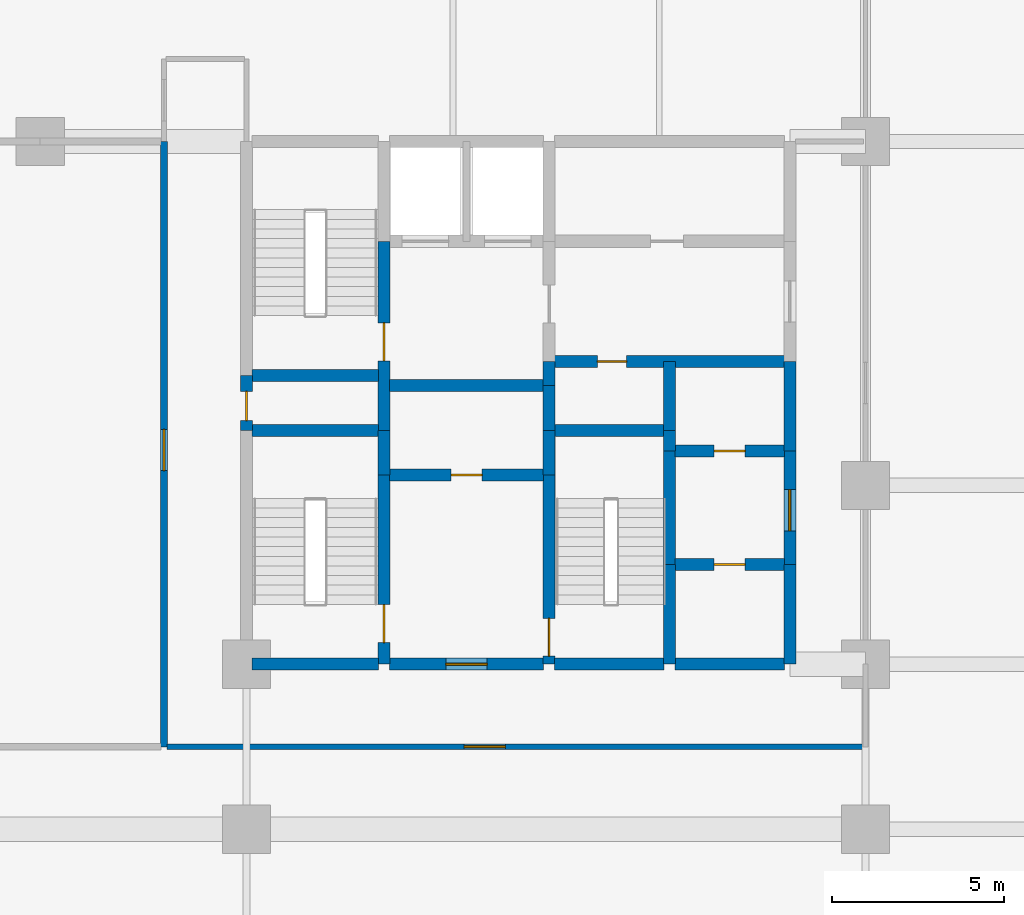
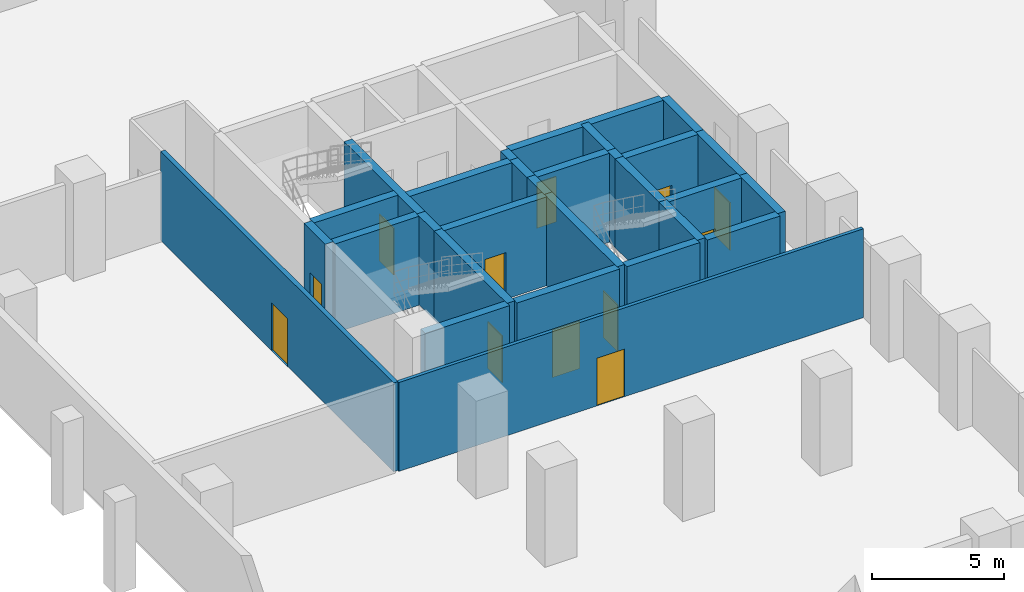
# One storey, part 4 of 7: 29 walls, 12 doors, 12 openings.
"""IFC4 building model written with IfcOpenShell, lengths in metres."""

from ifc_helpers import new_model, si_unit, direction, frame, frame_2d, origin, place, context, subcontext, project, spatial, rectangle, extrude, material, layer, layer_set, type_object, element, fill, save


model = new_model("IFC4")

# Units and contexts
model_context = context("Model", 3, precision=1e-05, world=origin(), true_north=direction((0.0, 1.0)))
body_context = subcontext(model_context, "Body", "Model", "MODEL_VIEW")
ifc_project = project(units=[si_unit("LENGTHUNIT", "METRE"), si_unit("AREAUNIT", "SQUARE_METRE"), si_unit("VOLUMEUNIT", "CUBIC_METRE"), si_unit("PLANEANGLEUNIT", "RADIAN"), si_unit("MASSUNIT", "GRAM", prefix="KILO")], contexts=[model_context])

# Site, building, storey
site_placement = place(None, origin())
site = spatial("IfcSite", under=ifc_project, at=site_placement, CompositionType="ELEMENT")
building_placement = place(site_placement, origin())
building = spatial("IfcBuilding", under=site, at=building_placement, Name="Keshet Zoharim Tower", CompositionType="ELEMENT")
storey_placement = place(building_placement, frame((0.0, 0.0, -4.5)))
storey = spatial("IfcBuildingStorey", under=building, at=storey_placement, Name="B1", CompositionType="ELEMENT", Elevation=-4.5)

# Wall, opening, door
ifc_material_1 = material(Name="Gypsum Plasterboard", Category="gypsum")
ifc_layer_1 = layer(ifc_material_1, 0.14990234375)
ifc_layer_set_1 = layer_set([ifc_layer_1], Name="Gypsum Plasterboard")
wall_type_1 = type_object("IfcWallType", Name="WL-CLIN-150", PredefinedType="STANDARD", material=ifc_layer_set_1)
wall_1_placement = place(storey_placement, frame((12.68505859375, 20.300048828125, 0.0), z_axis=(0.0, 0.0, 1.0), x_axis=(1.0, 0.0, 0.0)))
wall_1 = element("IfcWall", 1, at=wall_1_placement, inside=storey, type_object=wall_type_1, Name="B1 Interior Wall 033", PredefinedType="STANDARD", context=body_context, shape_type="SweptSolid", body=[
    extrude(rectangle(XDim=20.2548828125, YDim=0.14990234375, at=frame_2d((10.12744140625, 0.0))), origin(), (0.0, 0.0, 1.0), 4.10009765625),
])
opening_1_placement = place(wall_1_placement, frame((8.64404296875, 0.0, 0.0)))
opening_1 = element("IfcOpeningElement", 2, at=opening_1_placement, cuts=wall_1, Name="Opening D-F612", PredefinedType="OPENING", context=body_context, shape_type="SweptSolid", body=[
    extrude(rectangle(XDim=1.199951171875, YDim=2.199951171875, at=frame_2d((0.60009765625, 1.10009765625))), frame((0.0, 0.0849609375, 0.0), z_axis=(0.0, -1.0, 0.0), x_axis=(1.0, 0.0, 0.0)), (0.0, 0.0, 1.0), 0.169921875),
])
ifc_material_2 = material(Name="Hardwood Timber", Category="wood")
door_type_1 = type_object("IfcDoorType", Name="DR-FD60-120", OperationType="NOTDEFINED", PredefinedType="DOOR", material=ifc_material_2)
door_1_placement = place(opening_1_placement, origin())
door_1 = element("IfcDoor", 3, at=door_1_placement, inside=storey, type_object=door_type_1, Name="B1 Residents Bicycle Hub Store Fire Door", OperationType="SINGLE_SWING_LEFT", OverallHeight=2.199951171875, OverallWidth=1.199951171875, PredefinedType="DOOR", context=body_context, shape_type="SweptSolid", body=[
    extrude(rectangle(XDim=1.199951171875, YDim=2.199951171875, at=frame_2d((0.60009765625, 1.10009765625))), frame((0.0, 0.02490234375, 0.0), z_axis=(0.0, -1.0, 0.0), x_axis=(1.0, 0.0, 0.0)), (0.0, 0.0, 1.0), 0.050048828125),
])
fill(opening_1, door_1)

ifc_material_3 = material(Name="Concrete C60/75", Category="concrete")
ifc_layer_2 = layer(ifc_material_3, 0.35009765625)
ifc_layer_set_2 = layer_set([ifc_layer_2], Name="Concrete C60/75")
wall_type_2 = type_object("IfcWallType", Name="WL-CORE-350", PredefinedType="SHEAR", material=ifc_layer_set_2)
wall_2_placement = place(storey_placement, frame((15.0, 29.5, 0.0), z_axis=(0.0, 0.0, 1.0), x_axis=(0.0, 1.0, 0.0)))
wall_2 = element("IfcWall", 4, at=wall_2_placement, inside=storey, type_object=wall_type_2, Name="B1 Core Shear Wall 004", PredefinedType="SHEAR", context=body_context, shape_type="SweptSolid", body=[
    extrude(rectangle(XDim=1.60009765625, YDim=0.35009765625, at=frame_2d((0.800048828125, 0.0))), origin(), (0.0, 0.0, 1.0), 4.10009765625),
])
opening_2_placement = place(wall_2_placement, frame((0.287109375, 0.0, 0.0)))
opening_2 = element("IfcOpeningElement", 5, at=opening_2_placement, cuts=wall_2, Name="Opening D-RS85", PredefinedType="OPENING", context=body_context, shape_type="SweptSolid", body=[
    extrude(rectangle(XDim=0.85009765625, YDim=2.10009765625, at=frame_2d((0.425048828125, 1.050048828125))), frame((0.0, 0.18505859375, 0.0), z_axis=(0.0, -1.0, 0.0), x_axis=(1.0, 0.0, 0.0)), (0.0, 0.0, 1.0), 0.3701171875),
])
door_type_2 = type_object("IfcDoorType", Name="DR-RIS-085", OperationType="NOTDEFINED", PredefinedType="DOOR", material=ifc_material_2)
door_2_placement = place(opening_2_placement, origin())
door_2 = element("IfcDoor", 6, at=door_2_placement, inside=storey, type_object=door_type_2, Name="B1 Electrical Riser Access Cupboard Door", OperationType="SINGLE_SWING_LEFT", OverallHeight=2.10009765625, OverallWidth=0.85009765625, PredefinedType="DOOR", context=body_context, shape_type="SweptSolid", body=[
    extrude(rectangle(XDim=0.85009765625, YDim=2.10009765625, at=frame_2d((0.425048828125, 1.050048828125))), frame((0.0, 0.02490234375, 0.0), z_axis=(0.0, -1.0, 0.0), x_axis=(1.0, 0.0, 0.0)), (0.0, 0.0, 1.0), 0.050048828125),
])
fill(opening_2, door_2)

wall_3_placement = place(storey_placement, frame((19.0, 22.699951171875, 0.0), z_axis=(0.0, 0.0, 1.0), x_axis=(0.0, 1.0, 0.0)))
wall_3 = element("IfcWall", 7, at=wall_3_placement, inside=storey, type_object=wall_type_2, Name="B1 Core Shear Wall 007", PredefinedType="SHEAR", context=body_context, shape_type="SweptSolid", body=[
    extrude(rectangle(XDim=5.5, YDim=0.35009765625, at=frame_2d((2.75, 0.0))), origin(), (0.0, 0.0, 1.0), 4.10009765625),
])
opening_3_placement = place(wall_3_placement, frame((0.631103515625, 0.0, 0.0)))
opening_3 = element("IfcOpeningElement", 8, at=opening_3_placement, cuts=wall_3, Name="Opening D-F611", PredefinedType="OPENING", context=body_context, shape_type="SweptSolid", body=[
    extrude(rectangle(XDim=1.10009765625, YDim=2.14990234375, at=frame_2d((0.550048828125, 1.074951171875))), frame((0.0, 0.18505859375, 0.0), z_axis=(0.0, -1.0, 0.0), x_axis=(1.0, 0.0, 0.0)), (0.0, 0.0, 1.0), 0.3701171875),
])
door_type_3 = type_object("IfcDoorType", Name="DR-FD60-110", OperationType="NOTDEFINED", PredefinedType="DOOR", material=ifc_material_2)
door_3_placement = place(opening_3_placement, origin())
door_3 = element("IfcDoor", 9, at=door_3_placement, inside=storey, type_object=door_type_3, Name="B1 Exit Stair ST-01 Fire Door", OperationType="SINGLE_SWING_RIGHT", OverallHeight=2.14990234375, OverallWidth=1.10009765625, PredefinedType="DOOR", context=body_context, shape_type="SweptSolid", body=[
    extrude(rectangle(XDim=1.10009765625, YDim=2.14990234375, at=frame_2d((0.550048828125, 1.074951171875))), frame((0.0, 0.02490234375, 0.0), z_axis=(0.0, -1.0, 0.0), x_axis=(1.0, 0.0, 0.0)), (0.0, 0.0, 1.0), 0.050048828125),
])
fill(opening_3, door_3)

# Wall
wall_4_placement = place(storey_placement, frame((19.0, 28.199951171875, 0.0), z_axis=(0.0, 0.0, 1.0), x_axis=(0.0, 1.0, 0.0)))
element("IfcWall", 10, at=wall_4_placement, inside=storey, type_object=wall_type_2, Name="B1 Core Shear Wall 008", PredefinedType="SHEAR", context=body_context, shape_type="SweptSolid", body=[
    extrude(rectangle(XDim=1.300048828125, YDim=0.35009765625, at=frame_2d((0.64990234375, 0.0))), origin(), (0.0, 0.0, 1.0), 4.10009765625),
])

# Wall, opening, door
wall_5_placement = place(storey_placement, frame((19.0, 29.5, 0.0), z_axis=(0.0, 0.0, 1.0), x_axis=(0.0, 1.0, 0.0)))
wall_5 = element("IfcWall", 11, at=wall_5_placement, inside=storey, type_object=wall_type_2, Name="B1 Core Shear Wall 009", PredefinedType="SHEAR", context=body_context, shape_type="SweptSolid", body=[
    extrude(rectangle(XDim=5.5, YDim=0.35009765625, at=frame_2d((2.75, 0.0))), origin(), (0.0, 0.0, 1.0), 4.10009765625),
])
opening_4_placement = place(wall_5_placement, frame((2.02490234375, 0.0, 0.0)))
opening_4 = element("IfcOpeningElement", 12, at=opening_4_placement, cuts=wall_5, Name="Opening D-F611", PredefinedType="OPENING", context=body_context, shape_type="SweptSolid", body=[
    extrude(rectangle(XDim=1.10009765625, YDim=2.14990234375, at=frame_2d((0.550048828125, 1.074951171875))), frame((0.0, 0.18505859375, 0.0), z_axis=(0.0, -1.0, 0.0), x_axis=(1.0, 0.0, 0.0)), (0.0, 0.0, 1.0), 0.3701171875),
])
door_4_placement = place(opening_4_placement, origin())
door_4 = element("IfcDoor", 13, at=door_4_placement, inside=storey, type_object=door_type_3, Name="B1 Exit Stair ST-02 Fire Door", OperationType="SINGLE_SWING_LEFT", OverallHeight=2.14990234375, OverallWidth=1.10009765625, PredefinedType="DOOR", context=body_context, shape_type="SweptSolid", body=[
    extrude(rectangle(XDim=1.10009765625, YDim=2.14990234375, at=frame_2d((0.550048828125, 1.074951171875))), frame((0.0, 0.02490234375, 0.0), z_axis=(0.0, -1.0, 0.0), x_axis=(1.0, 0.0, 0.0)), (0.0, 0.0, 1.0), 0.050048828125),
])
fill(opening_4, door_4)

wall_6_placement = place(storey_placement, frame((23.800048828125, 22.699951171875, 0.0), z_axis=(0.0, 0.0, 1.0), x_axis=(0.0, 1.0, 0.0)))
wall_6 = element("IfcWall", 14, at=wall_6_placement, inside=storey, type_object=wall_type_2, Name="B1 Core Shear Wall 012", PredefinedType="SHEAR", context=body_context, shape_type="SweptSolid", body=[
    extrude(rectangle(XDim=5.5, YDim=0.35009765625, at=frame_2d((2.75, 0.0))), origin(), (0.0, 0.0, 1.0), 4.10009765625),
])
opening_5_placement = place(wall_6_placement, frame((0.235107421875, 0.0, 0.0)))
opening_5 = element("IfcOpeningElement", 15, at=opening_5_placement, cuts=wall_6, Name="Opening D-F611", PredefinedType="OPENING", context=body_context, shape_type="SweptSolid", body=[
    extrude(rectangle(XDim=1.10009765625, YDim=2.14990234375, at=frame_2d((0.550048828125, 1.074951171875))), frame((0.0, 0.18505859375, 0.0), z_axis=(0.0, -1.0, 0.0), x_axis=(1.0, 0.0, 0.0)), (0.0, 0.0, 1.0), 0.3701171875),
])
door_5_placement = place(opening_5_placement, frame((1.10009765625, 0.0, 0.0), z_axis=(0.0, 0.0, 1.0), x_axis=(-1.0, 0.0, 0.0)))
door_5 = element("IfcDoor", 16, at=door_5_placement, inside=storey, type_object=door_type_3, Name="B1 Exit Stair ST-03 Fire Door", OperationType="SINGLE_SWING_RIGHT", OverallHeight=2.14990234375, OverallWidth=1.10009765625, PredefinedType="DOOR", context=body_context, shape_type="SweptSolid", body=[
    extrude(rectangle(XDim=1.10009765625, YDim=2.14990234375, at=frame_2d((0.550048828125, 1.074951171875))), frame((0.0, 0.02490234375, 0.0), z_axis=(0.0, -1.0, 0.0), x_axis=(1.0, 0.0, 0.0)), (0.0, 0.0, 1.0), 0.050048828125),
])
fill(opening_5, door_5)

# Walls
for number, where, z_axis, x_axis, name in (
    (17, (23.800048828125, 28.199951171875, 0.0), (0.0, 0.0, 1.0), (0.0, 1.0, 0.0), "B1 Core Shear Wall 013"),
    (18, (23.800048828125, 29.5, 0.0), (0.0, 0.0, 1.0), (0.0, 1.0, 0.0), "B1 Core Shear Wall 014"),
):
    element("IfcWall", number, at=place(storey_placement, frame(where, z_axis=z_axis, x_axis=x_axis)), inside=storey, type_object=wall_type_2, Name=name, PredefinedType="SHEAR", context=body_context, shape_type="SweptSolid", body=[
        extrude(rectangle(XDim=1.300048828125, YDim=0.35009765625, at=frame_2d((0.64990234375, 0.0))), origin(), (0.0, 0.0, 1.0), 4.10009765625),
    ])
wall_7_placement = place(storey_placement, frame((23.800048828125, 30.800048828125, 0.0), z_axis=(0.0, 0.0, 1.0), x_axis=(0.0, 1.0, 0.0)))
element("IfcWall", 19, at=wall_7_placement, inside=storey, type_object=wall_type_2, Name="B1 Core Shear Wall 015", PredefinedType="SHEAR", context=body_context, shape_type="SweptSolid", body=[
    extrude(rectangle(XDim=0.699951171875, YDim=0.35009765625, at=frame_2d((0.35009765625, 0.0))), origin(), (0.0, 0.0, 1.0), 4.10009765625),
])
wall_8_placement = place(storey_placement, frame((27.300048828125, 22.699951171875, 0.0), z_axis=(0.0, 0.0, 1.0), x_axis=(0.0, 1.0, 0.0)))
element("IfcWall", 20, at=wall_8_placement, inside=storey, type_object=wall_type_2, Name="B1 Core Shear Wall 018", PredefinedType="SHEAR", context=body_context, shape_type="SweptSolid", body=[
    extrude(rectangle(XDim=2.900146484375, YDim=0.35009765625, at=frame_2d((1.4501953125, 0.0))), origin(), (0.0, 0.0, 1.0), 4.10009765625),
])
wall_9_placement = place(storey_placement, frame((27.300048828125, 25.60009765625, 0.0), z_axis=(0.0, 0.0, 1.0), x_axis=(0.0, 1.0, 0.0)))
element("IfcWall", 21, at=wall_9_placement, inside=storey, type_object=wall_type_2, Name="B1 Core Shear Wall 019", PredefinedType="SHEAR", context=body_context, shape_type="SweptSolid", body=[
    extrude(rectangle(XDim=3.2998046875, YDim=0.35009765625, at=frame_2d((1.64990234375, 0.0))), origin(), (0.0, 0.0, 1.0), 4.10009765625),
])
wall_10_placement = place(storey_placement, frame((27.300048828125, 28.89990234375, 0.0), z_axis=(0.0, 0.0, 1.0), x_axis=(0.0, 1.0, 0.0)))
element("IfcWall", 22, at=wall_10_placement, inside=storey, type_object=wall_type_2, Name="B1 Core Shear Wall 020", PredefinedType="SHEAR", context=body_context, shape_type="SweptSolid", body=[
    extrude(rectangle(XDim=0.60009765625, YDim=0.35009765625, at=frame_2d((0.300048828125, 0.0))), origin(), (0.0, 0.0, 1.0), 4.10009765625),
])
wall_11_placement = place(storey_placement, frame((27.300048828125, 29.5, 0.0), z_axis=(0.0, 0.0, 1.0), x_axis=(0.0, 1.0, 0.0)))
element("IfcWall", 23, at=wall_11_placement, inside=storey, type_object=wall_type_2, Name="B1 Core Shear Wall 021", PredefinedType="SHEAR", context=body_context, shape_type="SweptSolid", body=[
    extrude(rectangle(XDim=2.0, YDim=0.35009765625, at=frame_2d((1.0, 0.0))), origin(), (0.0, 0.0, 1.0), 4.10009765625),
])
wall_12_placement = place(storey_placement, frame((30.800048828125, 22.699951171875, 0.0), z_axis=(0.0, 0.0, 1.0), x_axis=(0.0, 1.0, 0.0)))
element("IfcWall", 24, at=wall_12_placement, inside=storey, type_object=wall_type_2, Name="B1 Core Shear Wall 022", PredefinedType="SHEAR", context=body_context, shape_type="SweptSolid", body=[
    extrude(rectangle(XDim=2.900146484375, YDim=0.35009765625, at=frame_2d((1.4501953125, 0.0))), origin(), (0.0, 0.0, 1.0), 4.10009765625),
])

# Wall, opening, door
wall_13_placement = place(storey_placement, frame((30.800048828125, 25.60009765625, 0.0), z_axis=(0.0, 0.0, 1.0), x_axis=(0.0, 1.0, 0.0)))
wall_13 = element("IfcWall", 25, at=wall_13_placement, inside=storey, type_object=wall_type_2, Name="B1 Core Shear Wall 023", PredefinedType="SHEAR", context=body_context, shape_type="SweptSolid", body=[
    extrude(rectangle(XDim=3.2998046875, YDim=0.35009765625, at=frame_2d((1.64990234375, 0.0))), origin(), (0.0, 0.0, 1.0), 4.10009765625),
])
opening_6_placement = place(wall_13_placement, frame((0.97802734375, 0.0, 0.0)))
opening_6 = element("IfcOpeningElement", 26, at=opening_6_placement, cuts=wall_13, Name="Opening D-F612", PredefinedType="OPENING", context=body_context, shape_type="SweptSolid", body=[
    extrude(rectangle(XDim=1.199951171875, YDim=2.199951171875, at=frame_2d((0.60009765625, 1.10009765625))), frame((0.0, 0.18505859375, 0.0), z_axis=(0.0, -1.0, 0.0), x_axis=(1.0, 0.0, 0.0)), (0.0, 0.0, 1.0), 0.3701171875),
])
door_6_placement = place(opening_6_placement, origin())
door_6 = element("IfcDoor", 27, at=door_6_placement, inside=storey, type_object=door_type_1, Name="B1 East Lift Lobby Fire Door", OperationType="SINGLE_SWING_RIGHT", OverallHeight=2.199951171875, OverallWidth=1.199951171875, PredefinedType="DOOR", context=body_context, shape_type="SweptSolid", body=[
    extrude(rectangle(XDim=1.199951171875, YDim=2.199951171875, at=frame_2d((0.60009765625, 1.10009765625))), frame((0.0, 0.02490234375, 0.0), z_axis=(0.0, -1.0, 0.0), x_axis=(1.0, 0.0, 0.0)), (0.0, 0.0, 1.0), 0.050048828125),
])
fill(opening_6, door_6)

# Walls
wall_14_placement = place(storey_placement, frame((30.800048828125, 28.89990234375, 0.0), z_axis=(0.0, 0.0, 1.0), x_axis=(0.0, 1.0, 0.0)))
element("IfcWall", 28, at=wall_14_placement, inside=storey, type_object=wall_type_2, Name="B1 Core Shear Wall 024", PredefinedType="SHEAR", context=body_context, shape_type="SweptSolid", body=[
    extrude(rectangle(XDim=2.60009765625, YDim=0.35009765625, at=frame_2d((1.300048828125, 0.0))), origin(), (0.0, 0.0, 1.0), 4.10009765625),
])
wall_15_placement = place(storey_placement, frame((15.159912109375, 22.699951171875, 0.0), z_axis=(0.0, 0.0, 1.0), x_axis=(1.0, 0.0, 0.0)))
element("IfcWall", 29, at=wall_15_placement, inside=storey, type_object=wall_type_2, Name="B1 Core Shear Wall 034", PredefinedType="SHEAR", context=body_context, shape_type="SweptSolid", body=[
    extrude(rectangle(XDim=3.68017578125, YDim=0.35009765625, at=frame_2d((1.840087890625, 0.0))), origin(), (0.0, 0.0, 1.0), 4.10009765625),
])

# Wall, opening, door
wall_16_placement = place(storey_placement, frame((19.159912109375, 22.699951171875, 0.0), z_axis=(0.0, 0.0, 1.0), x_axis=(1.0, 0.0, 0.0)))
wall_16 = element("IfcWall", 30, at=wall_16_placement, inside=storey, type_object=wall_type_2, Name="B1 Core Shear Wall 035", PredefinedType="SHEAR", context=body_context, shape_type="SweptSolid", body=[
    extrude(rectangle(XDim=4.47998046875, YDim=0.35009765625, at=frame_2d((2.239990234375, 0.0))), origin(), (0.0, 0.0, 1.0), 4.10009765625),
])
opening_7_placement = place(wall_16_placement, frame((1.639892578125, 0.0, 0.0)))
opening_7 = element("IfcOpeningElement", 31, at=opening_7_placement, cuts=wall_16, Name="Opening D-F612", PredefinedType="OPENING", context=body_context, shape_type="SweptSolid", body=[
    extrude(rectangle(XDim=1.199951171875, YDim=2.199951171875, at=frame_2d((0.60009765625, 1.10009765625))), frame((0.0, 0.18505859375, 0.0), z_axis=(0.0, -1.0, 0.0), x_axis=(1.0, 0.0, 0.0)), (0.0, 0.0, 1.0), 0.3701171875),
])
door_7_placement = place(opening_7_placement, origin())
door_7 = element("IfcDoor", 32, at=door_7_placement, inside=storey, type_object=door_type_1, Name="B1 South Core Lobby Fire Door", OperationType="SINGLE_SWING_RIGHT", OverallHeight=2.199951171875, OverallWidth=1.199951171875, PredefinedType="DOOR", context=body_context, shape_type="SweptSolid", body=[
    extrude(rectangle(XDim=1.199951171875, YDim=2.199951171875, at=frame_2d((0.60009765625, 1.10009765625))), frame((0.0, 0.02490234375, 0.0), z_axis=(0.0, -1.0, 0.0), x_axis=(1.0, 0.0, 0.0)), (0.0, 0.0, 1.0), 0.050048828125),
])
fill(opening_7, door_7)

# Walls
for number, where, z_axis, x_axis, name in (
    (33, (23.9599609375, 22.699951171875, 0.0), (0.0, 0.0, 1.0), (1.0, 0.0, 0.0), "B1 Core Shear Wall 036"),
    (34, (27.4599609375, 22.699951171875, 0.0), (0.0, 0.0, 1.0), (1.0, 0.0, 0.0), "B1 Core Shear Wall 037"),
):
    element("IfcWall", number, at=place(storey_placement, frame(where, z_axis=z_axis, x_axis=x_axis)), inside=storey, type_object=wall_type_2, Name=name, PredefinedType="SHEAR", context=body_context, shape_type="SweptSolid", body=[
        extrude(rectangle(XDim=3.179931640625, YDim=0.35009765625, at=frame_2d((1.58984375, 0.0))), origin(), (0.0, 0.0, 1.0), 4.10009765625),
    ])

# Wall, opening, door
wall_17_placement = place(storey_placement, frame((27.4599609375, 25.60009765625, 0.0), z_axis=(0.0, 0.0, 1.0), x_axis=(1.0, 0.0, 0.0)))
wall_17 = element("IfcWall", 35, at=wall_17_placement, inside=storey, type_object=wall_type_2, Name="B1 Core Shear Wall 039", PredefinedType="SHEAR", context=body_context, shape_type="SweptSolid", body=[
    extrude(rectangle(XDim=3.179931640625, YDim=0.35009765625, at=frame_2d((1.58984375, 0.0))), origin(), (0.0, 0.0, 1.0), 4.10009765625),
])
opening_8_placement = place(wall_17_placement, frame((1.139892578125, 0.0, 0.0)))
opening_8 = element("IfcOpeningElement", 36, at=opening_8_placement, cuts=wall_17, Name="Opening D-F690", PredefinedType="OPENING", context=body_context, shape_type="SweptSolid", body=[
    extrude(rectangle(XDim=0.89990234375, YDim=2.14990234375, at=frame_2d((0.449951171875, 1.074951171875))), frame((0.0, 0.18505859375, 0.0), z_axis=(0.0, -1.0, 0.0), x_axis=(1.0, 0.0, 0.0)), (0.0, 0.0, 1.0), 0.3701171875),
])
door_type_4 = type_object("IfcDoorType", Name="DR-FD60-090", OperationType="NOTDEFINED", PredefinedType="DOOR", material=ifc_material_2)
door_8_placement = place(opening_8_placement, origin())
door_8 = element("IfcDoor", 37, at=door_8_placement, inside=storey, type_object=door_type_4, Name="B1 Mid-Rise South Pit Door", OperationType="SINGLE_SWING_LEFT", OverallHeight=2.14990234375, OverallWidth=0.89990234375, PredefinedType="DOOR", context=body_context, shape_type="SweptSolid", body=[
    extrude(rectangle(XDim=0.89990234375, YDim=2.14990234375, at=frame_2d((0.449951171875, 1.074951171875))), frame((0.0, 0.02490234375, 0.0), z_axis=(0.0, -1.0, 0.0), x_axis=(1.0, 0.0, 0.0)), (0.0, 0.0, 1.0), 0.050048828125),
])
fill(opening_8, door_8)

wall_18_placement = place(storey_placement, frame((19.159912109375, 28.199951171875, 0.0), z_axis=(0.0, 0.0, 1.0), x_axis=(1.0, 0.0, 0.0)))
wall_18 = element("IfcWall", 38, at=wall_18_placement, inside=storey, type_object=wall_type_2, Name="B1 Core Shear Wall 040", PredefinedType="SHEAR", context=body_context, shape_type="SweptSolid", body=[
    extrude(rectangle(XDim=4.47998046875, YDim=0.35009765625, at=frame_2d((2.239990234375, 0.0))), origin(), (0.0, 0.0, 1.0), 4.10009765625),
])
opening_9_placement = place(wall_18_placement, frame((1.7900390625, 0.0, 0.0)))
opening_9 = element("IfcOpeningElement", 39, at=opening_9_placement, cuts=wall_18, Name="Opening D-F690", PredefinedType="OPENING", context=body_context, shape_type="SweptSolid", body=[
    extrude(rectangle(XDim=0.89990234375, YDim=2.14990234375, at=frame_2d((0.449951171875, 1.074951171875))), frame((0.0, 0.18505859375, 0.0), z_axis=(0.0, -1.0, 0.0), x_axis=(1.0, 0.0, 0.0)), (0.0, 0.0, 1.0), 0.3701171875),
])
door_9_placement = place(opening_9_placement, frame((0.89990234375, 0.0, 0.0), z_axis=(0.0, 0.0, 1.0), x_axis=(-1.0, 0.0, 0.0)))
door_9 = element("IfcDoor", 40, at=door_9_placement, inside=storey, type_object=door_type_4, Name="B1 High-Rise Lift Pit Door", OperationType="SINGLE_SWING_RIGHT", OverallHeight=2.14990234375, OverallWidth=0.89990234375, PredefinedType="DOOR", context=body_context, shape_type="SweptSolid", body=[
    extrude(rectangle(XDim=0.89990234375, YDim=2.14990234375, at=frame_2d((0.449951171875, 1.074951171875))), frame((0.0, 0.02490234375, 0.0), z_axis=(0.0, -1.0, 0.0), x_axis=(1.0, 0.0, 0.0)), (0.0, 0.0, 1.0), 0.050048828125),
])
fill(opening_9, door_9)

wall_19_placement = place(storey_placement, frame((27.4599609375, 28.89990234375, 0.0), z_axis=(0.0, 0.0, 1.0), x_axis=(1.0, 0.0, 0.0)))
wall_19 = element("IfcWall", 41, at=wall_19_placement, inside=storey, type_object=wall_type_2, Name="B1 Core Shear Wall 041", PredefinedType="SHEAR", context=body_context, shape_type="SweptSolid", body=[
    extrude(rectangle(XDim=3.179931640625, YDim=0.35009765625, at=frame_2d((1.58984375, 0.0))), origin(), (0.0, 0.0, 1.0), 4.10009765625),
])
opening_10_placement = place(wall_19_placement, frame((1.139892578125, 0.0, 0.0)))
opening_10 = element("IfcOpeningElement", 42, at=opening_10_placement, cuts=wall_19, Name="Opening D-F690", PredefinedType="OPENING", context=body_context, shape_type="SweptSolid", body=[
    extrude(rectangle(XDim=0.89990234375, YDim=2.14990234375, at=frame_2d((0.449951171875, 1.074951171875))), frame((0.0, 0.18505859375, 0.0), z_axis=(0.0, -1.0, 0.0), x_axis=(1.0, 0.0, 0.0)), (0.0, 0.0, 1.0), 0.3701171875),
])
door_10_placement = place(opening_10_placement, frame((0.89990234375, 0.0, 0.0), z_axis=(0.0, 0.0, 1.0), x_axis=(-1.0, 0.0, 0.0)))
door_10 = element("IfcDoor", 43, at=door_10_placement, inside=storey, type_object=door_type_4, Name="B1 Mid-Rise North Pit Door", OperationType="SINGLE_SWING_LEFT", OverallHeight=2.14990234375, OverallWidth=0.89990234375, PredefinedType="DOOR", context=body_context, shape_type="SweptSolid", body=[
    extrude(rectangle(XDim=0.89990234375, YDim=2.14990234375, at=frame_2d((0.449951171875, 1.074951171875))), frame((0.0, 0.02490234375, 0.0), z_axis=(0.0, -1.0, 0.0), x_axis=(1.0, 0.0, 0.0)), (0.0, 0.0, 1.0), 0.050048828125),
])
fill(opening_10, door_10)

# Walls
wall_20_placement = place(storey_placement, frame((15.159912109375, 29.5, 0.0), z_axis=(0.0, 0.0, 1.0), x_axis=(1.0, 0.0, 0.0)))
element("IfcWall", 44, at=wall_20_placement, inside=storey, type_object=wall_type_2, Name="B1 Core Shear Wall 042", PredefinedType="SHEAR", context=body_context, shape_type="SweptSolid", body=[
    extrude(rectangle(XDim=3.68017578125, YDim=0.35009765625, at=frame_2d((1.840087890625, 0.0))), origin(), (0.0, 0.0, 1.0), 4.10009765625),
])
wall_21_placement = place(storey_placement, frame((23.9599609375, 29.5, 0.0), z_axis=(0.0, 0.0, 1.0), x_axis=(1.0, 0.0, 0.0)))
element("IfcWall", 45, at=wall_21_placement, inside=storey, type_object=wall_type_2, Name="B1 Core Shear Wall 043", PredefinedType="SHEAR", context=body_context, shape_type="SweptSolid", body=[
    extrude(rectangle(XDim=3.179931640625, YDim=0.35009765625, at=frame_2d((1.58984375, 0.0))), origin(), (0.0, 0.0, 1.0), 4.10009765625),
])
wall_22_placement = place(storey_placement, frame((19.159912109375, 30.800048828125, 0.0), z_axis=(0.0, 0.0, 1.0), x_axis=(1.0, 0.0, 0.0)))
element("IfcWall", 46, at=wall_22_placement, inside=storey, type_object=wall_type_2, Name="B1 Core Shear Wall 045", PredefinedType="SHEAR", context=body_context, shape_type="SweptSolid", body=[
    extrude(rectangle(XDim=4.47998046875, YDim=0.35009765625, at=frame_2d((2.239990234375, 0.0))), origin(), (0.0, 0.0, 1.0), 4.10009765625),
])
wall_23_placement = place(storey_placement, frame((15.159912109375, 31.10009765625, 0.0), z_axis=(0.0, 0.0, 1.0), x_axis=(1.0, 0.0, 0.0)))
element("IfcWall", 47, at=wall_23_placement, inside=storey, type_object=wall_type_2, Name="B1 Core Shear Wall 046", PredefinedType="SHEAR", context=body_context, shape_type="SweptSolid", body=[
    extrude(rectangle(XDim=3.68017578125, YDim=0.35009765625, at=frame_2d((1.840087890625, 0.0))), origin(), (0.0, 0.0, 1.0), 4.10009765625),
])

# Wall, opening, door
wall_24_placement = place(storey_placement, frame((23.9599609375, 31.5, 0.0), z_axis=(0.0, 0.0, 1.0), x_axis=(1.0, 0.0, 0.0)))
wall_24 = element("IfcWall", 48, at=wall_24_placement, inside=storey, type_object=wall_type_2, Name="B1 Core Shear Wall 047", PredefinedType="SHEAR", context=body_context, shape_type="SweptSolid", body=[
    extrude(rectangle(XDim=6.679931640625, YDim=0.35009765625, at=frame_2d((3.33984375, 0.0))), origin(), (0.0, 0.0, 1.0), 4.10009765625),
])
opening_11_placement = place(wall_24_placement, frame((1.239990234375, 0.0, 0.0)))
opening_11 = element("IfcOpeningElement", 49, at=opening_11_placement, cuts=wall_24, Name="Opening D-RS85", PredefinedType="OPENING", context=body_context, shape_type="SweptSolid", body=[
    extrude(rectangle(XDim=0.85009765625, YDim=2.10009765625, at=frame_2d((0.425048828125, 1.050048828125))), frame((0.0, 0.18505859375, 0.0), z_axis=(0.0, -1.0, 0.0), x_axis=(1.0, 0.0, 0.0)), (0.0, 0.0, 1.0), 0.3701171875),
])
door_11_placement = place(opening_11_placement, origin())
door_11 = element("IfcDoor", 50, at=door_11_placement, inside=storey, type_object=door_type_2, Name="B1 Telecom Riser Access Cupboard Door", OperationType="SINGLE_SWING_RIGHT", OverallHeight=2.10009765625, OverallWidth=0.85009765625, PredefinedType="DOOR", context=body_context, shape_type="SweptSolid", body=[
    extrude(rectangle(XDim=0.85009765625, YDim=2.10009765625, at=frame_2d((0.425048828125, 1.050048828125))), frame((0.0, 0.02490234375, 0.0), z_axis=(0.0, -1.0, 0.0), x_axis=(1.0, 0.0, 0.0)), (0.0, 0.0, 1.0), 0.050048828125),
])
fill(opening_11, door_11)

ifc_material_4 = material(Name="Concrete C50/60", Category="concrete")
ifc_layer_3 = layer(ifc_material_4, 0.199951171875)
ifc_layer_set_3 = layer_set([ifc_layer_3], Name="Concrete C50/60")
wall_type_3 = type_object("IfcWallType", Name="WL-FIRE-200", PredefinedType="STANDARD", material=ifc_layer_set_3)
wall_25_placement = place(storey_placement, frame((12.60009765625, 20.300048828125, 0.0), z_axis=(0.0, 0.0, 1.0), x_axis=(0.0, 1.0, 0.0)))
wall_25 = element("IfcWall", 51, at=wall_25_placement, inside=storey, type_object=wall_type_3, Name="B1 Interior Wall 001", PredefinedType="STANDARD", context=body_context, shape_type="SweptSolid", body=[
    extrude(rectangle(XDim=17.599853515625, YDim=0.199951171875, at=frame_2d((8.7998046875, 0.0))), origin(), (0.0, 0.0, 1.0), 4.10009765625),
])
opening_12_placement = place(wall_25_placement, frame((8.030029296875, 0.0, 0.0)))
opening_12 = element("IfcOpeningElement", 52, at=opening_12_placement, cuts=wall_25, Name="Opening D-F612", PredefinedType="OPENING", context=body_context, shape_type="SweptSolid", body=[
    extrude(rectangle(XDim=1.199951171875, YDim=2.199951171875, at=frame_2d((0.60009765625, 1.10009765625))), frame((0.0, 0.10986328125, 0.0), z_axis=(0.0, -1.0, 0.0), x_axis=(1.0, 0.0, 0.0)), (0.0, 0.0, 1.0), 0.219970703125),
])
door_12_placement = place(opening_12_placement, origin())
door_12 = element("IfcDoor", 53, at=door_12_placement, inside=storey, type_object=door_type_1, Name="B1 Basement Shelter Filtration Plant Room Fire Door", OperationType="SINGLE_SWING_LEFT", OverallHeight=2.199951171875, OverallWidth=1.199951171875, PredefinedType="DOOR", context=body_context, shape_type="SweptSolid", body=[
    extrude(rectangle(XDim=1.199951171875, YDim=2.199951171875, at=frame_2d((0.60009765625, 1.10009765625))), frame((0.0, 0.02490234375, 0.0), z_axis=(0.0, -1.0, 0.0), x_axis=(1.0, 0.0, 0.0)), (0.0, 0.0, 1.0), 0.050048828125),
])
fill(opening_12, door_12)

save(model, "model.ifc")
